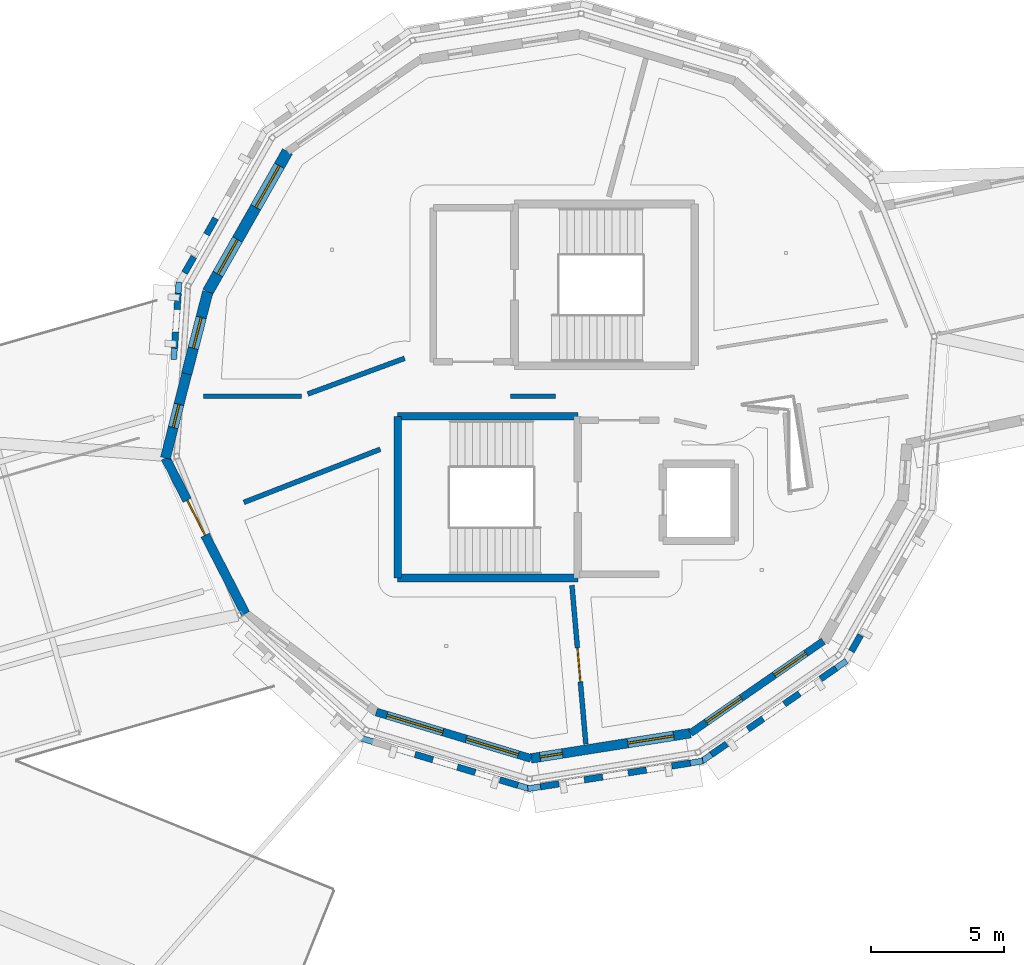
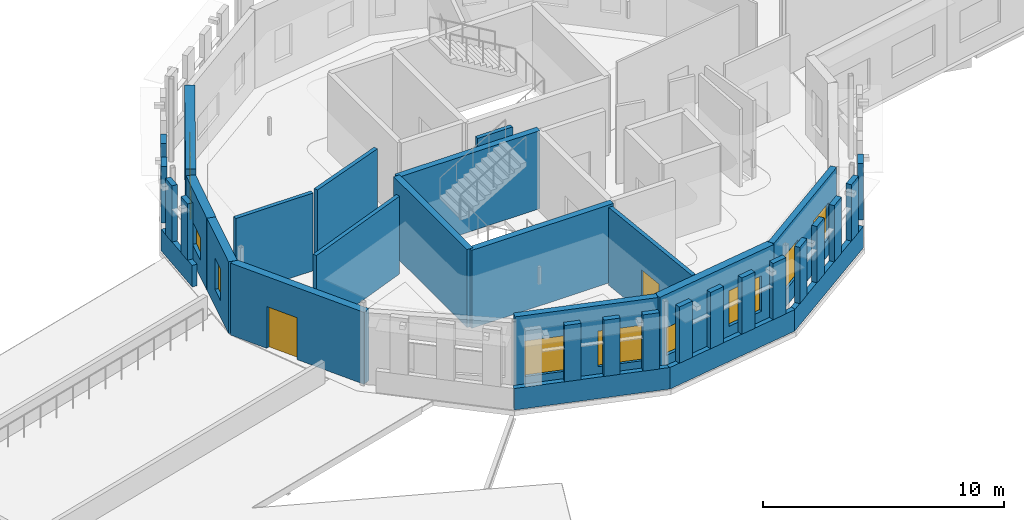
# One storey, part 59 of 90: 35 walls, 10 windows, 2 doors, 12 openings.
"""IFC4 building model written with IfcOpenShell, lengths in metres."""

import ifcopenshell
import ifcopenshell.guid

model = None  # the IFC model being written
_history = None  # IfcOwnerHistory: only IFC2X3 demands one
_inside = {}  # id of a spatial element -> (the spatial element, [elements in it])
_under = {}  # id of a project, library or spatial element -> (it, [spatial elements below it])
_declared = {}  # id of a project -> (the project, [libraries it declares])
_typed = {}  # id of a type object -> (the type object, [elements of that type])
_made_of = {}  # id of a material, layer set ... -> (it, [elements and type objects made of it])


def new_model(schema):
    """Start an empty IFC model of exactly this schema.

    Asked for "IFC4X3", IfcOpenShell would pick the latest addendum, in which some entities
    have other attributes; the version numbers below select the first issue.
    IFC2X3 requires an IfcOwnerHistory on every rooted entity: one is made here for all.
    """
    global model, _history
    if schema == "IFC4X3":
        model = ifcopenshell.file(schema_version=(4, 3, 0, 0))
    else:
        model = ifcopenshell.file(schema=schema)
    _inside.clear()
    _under.clear()
    _declared.clear()
    _typed.clear()
    _made_of.clear()
    _history = None
    if model.schema == "IFC2X3":
        org = make("IfcOrganization", Name="unknown")
        user = make(
            "IfcPersonAndOrganization",
            ThePerson=make("IfcPerson", FamilyName="unknown"),
            TheOrganization=org,
        )
        app = make(
            "IfcApplication",
            ApplicationDeveloper=org,
            Version="unknown",
            ApplicationFullName="unknown",
            ApplicationIdentifier="unknown",
        )
        _history = make(
            "IfcOwnerHistory",
            OwningUser=user,
            OwningApplication=app,
            ChangeAction="ADDED",
            CreationDate=0,
        )
    return model


def make(cls, **values):
    """One entity of the class cls with the attributes given. An attribute that is None is left unset."""
    return model.create_entity(
        cls, **{name: value for name, value in values.items() if value is not None}
    )


def rooted(cls, **values):
    """An entity with a GlobalId (a new one), such as an element, a storey or a relation."""
    return make(cls, GlobalId=ifcopenshell.guid.new(), OwnerHistory=_history, **values)


def si_unit(unit_type, name, prefix=None):
    """IfcSIUnit, for example si_unit("LENGTHUNIT", "METRE", prefix="MILLI")."""
    return make("IfcSIUnit", UnitType=unit_type, Prefix=prefix, Name=name)


def assignment(units):
    """IfcUnitAssignment: the units of a project."""
    return None if units is None else make("IfcUnitAssignment", Units=units)


def point(xyz):
    """IfcCartesianPoint."""
    return None if xyz is None else make("IfcCartesianPoint", Coordinates=xyz)


def direction(xyz):
    """IfcDirection."""
    return None if xyz is None else make("IfcDirection", DirectionRatios=xyz)


def frame(location, z_axis=None, x_axis=None):
    """IfcAxis2Placement3D, a coordinate frame: its origin and axes. An axis left out is left unset."""
    return make(
        "IfcAxis2Placement3D",
        Location=point(location),
        Axis=direction(z_axis),
        RefDirection=direction(x_axis),
    )


def frame_2d(location, x_axis=None):
    """IfcAxis2Placement2D, a coordinate frame in the plane: its origin and x axis."""
    return make(
        "IfcAxis2Placement2D", Location=point(location), RefDirection=direction(x_axis)
    )


def origin():
    """The frame at (0, 0, 0) with its axes left unset."""
    return frame((0.0, 0.0, 0.0))


def place(relative_to, where):
    """IfcLocalPlacement: puts the frame where relative to a parent placement (None: the world)."""
    return make(
        "IfcLocalPlacement", PlacementRelTo=relative_to, RelativePlacement=where
    )


def context(
    kind, dimensions, precision=None, world=None, true_north=None, identifier=None
):
    """IfcGeometricRepresentationContext, for example the 3D "Model" context."""
    return make(
        "IfcGeometricRepresentationContext",
        ContextIdentifier=identifier,
        ContextType=kind,
        CoordinateSpaceDimension=dimensions,
        Precision=precision,
        WorldCoordinateSystem=world,
        TrueNorth=true_north,
    )


def subcontext(parent, identifier, kind, view, scale=None):
    """IfcGeometricRepresentationSubContext, for example "Body" below "Model"."""
    return make(
        "IfcGeometricRepresentationSubContext",
        ContextIdentifier=identifier,
        ContextType=kind,
        ParentContext=parent,
        TargetScale=scale,
        TargetView=view,
    )


def project(units=None, contexts=None):
    """IfcProject with its units and contexts."""
    return rooted(
        "IfcProject",
        Name="project",
        RepresentationContexts=contexts,
        UnitsInContext=assignment(units),
    )


def spatial(cls, under=None, at=None, **own):
    """A site, building, storey or space (cls), placed at a placement, below another one or the project."""
    s = rooted(cls, ObjectPlacement=at, **own)
    if under is not None:
        _under.setdefault(under.id(), (under, []))[1].append(s)
    return s


def profile(cls, at=None, kind="AREA", **sizes):
    """A parametric profile (cls). Its sizes go by their IFC names, for example OverallWidth=200.0."""
    return make(cls, ProfileType=kind, Position=at, **sizes)


def rectangle(**sizes):
    """IfcRectangleProfileDef."""
    return profile("IfcRectangleProfileDef", **sizes)


def extrude(swept, where, along, depth):
    """IfcExtrudedAreaSolid: the profile swept, set in the frame where, extruded along a direction by depth."""
    return make(
        "IfcExtrudedAreaSolid",
        SweptArea=swept,
        Position=where,
        ExtrudedDirection=direction(along),
        Depth=depth,
    )


def shape(context_of_items, identifier, shape_type, items):
    """IfcShapeRepresentation: the items that make up one representation, for example the "Body"."""
    return make(
        "IfcShapeRepresentation",
        ContextOfItems=context_of_items,
        RepresentationIdentifier=identifier,
        RepresentationType=shape_type,
        Items=items,
    )


def material(Name=None, Category=None):
    """IfcMaterial."""
    return make("IfcMaterial", Name=Name, Category=Category)


def layer(
    of_material, thickness, ventilated=None, Name=None, Category=None, Priority=None
):
    """IfcMaterialLayer: one layer of a wall or slab, of a material (None: an air gap)."""
    return make(
        "IfcMaterialLayer",
        Material=of_material,
        LayerThickness=thickness,
        IsVentilated=ventilated,
        Name=Name,
        Category=Category,
        Priority=Priority,
    )


def layer_set(layers, Name=None):
    """IfcMaterialLayerSet."""
    return make("IfcMaterialLayerSet", MaterialLayers=layers, LayerSetName=Name)


def made_of(thing, what):
    """Note that an element or type object is made of a material, layer set ...; save() writes the relation."""
    if what is not None:
        _made_of.setdefault(what.id(), (what, []))[1].append(thing)
    return thing


def type_object(cls, material=None, **own):
    """A type object (cls), such as IfcWallType, which elements share."""
    return made_of(rooted(cls, **own), material)


def element(
    cls,
    number,
    at=None,
    inside=None,
    cuts=None,
    type_object=None,
    material=None,
    context=None,
    identifier="Body",
    shape_type=None,
    held_by="IfcProductDefinitionShape",
    body=None,
    shapes=None,
    **own,
):
    """One element of the class cls, such as IfcWall. Its Tag is "e" and its number.

    at: its placement. inside: the storey or other place that contains it. cuts: it is an
    opening in that element (IfcRelVoidsElement). A single representation is given by context,
    identifier, shape_type and body (its items); several are given by shapes. held_by: the class
    of the entity that holds the representations. save() writes the other relations.
    """
    e = rooted(cls, Tag="e%d" % number, ObjectPlacement=at, **own)
    if body is not None:
        shapes = [shape(context, identifier, shape_type, body)]
    if shapes is not None:
        e.Representation = make(held_by, Representations=shapes)
    if inside is not None:
        _inside.setdefault(inside.id(), (inside, []))[1].append(e)
    if cuts is not None:
        rooted(
            "IfcRelVoidsElement", RelatingBuildingElement=cuts, RelatedOpeningElement=e
        )
    if type_object is not None:
        _typed.setdefault(type_object.id(), (type_object, []))[1].append(e)
    return made_of(e, material)


def fill(opening, filler):
    """IfcRelFillsElement: the door or window that sits in an opening."""
    return rooted(
        "IfcRelFillsElement",
        RelatingOpeningElement=opening,
        RelatedBuildingElement=filler,
    )


def aggregate(whole, parts):
    """IfcRelAggregates: a whole, such as a stair, and the parts it consists of."""
    return rooted("IfcRelAggregates", RelatingObject=whole, RelatedObjects=parts)


def save(model, path):
    """Write the relations noted so far, then the file.

    IfcRelAggregates (storeys below a building ...), IfcRelContainedInSpatialStructure (elements
    in a storey), IfcRelDefinesByType, IfcRelAssociatesMaterial and IfcRelDeclares: one each for
    every whole, place, type object, material and project.
    """
    for whole, parts in _under.values():
        aggregate(whole, parts)
    for where, things in _inside.values():
        rooted(
            "IfcRelContainedInSpatialStructure",
            RelatedElements=things,
            RelatingStructure=where,
        )
    for kind, things in _typed.values():
        rooted("IfcRelDefinesByType", RelatedObjects=things, RelatingType=kind)
    for what, things in _made_of.values():
        rooted("IfcRelAssociatesMaterial", RelatedObjects=things, RelatingMaterial=what)
    for by, libraries in _declared.values():
        rooted("IfcRelDeclares", RelatingContext=by, RelatedDefinitions=libraries)
    model.write(path)


model = new_model("IFC4")

# Units and contexts
model_context = context("Model", 3, precision=1e-05, world=origin(), true_north=direction((0.0, 1.0)))
body_context = subcontext(model_context, "Body", "Model", "MODEL_VIEW")
ifc_project = project(units=[si_unit("LENGTHUNIT", "METRE"), si_unit("AREAUNIT", "SQUARE_METRE"), si_unit("VOLUMEUNIT", "CUBIC_METRE"), si_unit("PLANEANGLEUNIT", "RADIAN"), si_unit("MASSUNIT", "GRAM", prefix="KILO")], contexts=[model_context])

# Site, building, storey
site_placement = place(None, origin())
site = spatial("IfcSite", under=ifc_project, at=site_placement, CompositionType="ELEMENT")
building_placement = place(site_placement, origin())
building = spatial("IfcBuilding", under=site, at=building_placement, Name="Wrenclough Park School", CompositionType="ELEMENT")
storey_placement = place(building_placement, frame((0.0, 0.0, 8.39990234375)))
storey = spatial("IfcBuildingStorey", under=building, at=storey_placement, Name="L02", CompositionType="ELEMENT", Elevation=8.39990234375)

# Walls
ifc_material_1 = material(Name="Perforated open-bond Staffordshire and Manchester brick screen pier", Category="masonry")
ifc_layer_1 = layer(ifc_material_1, 0.2451171875)
ifc_layer_set_1 = layer_set([ifc_layer_1], Name="Perforated open-bond Staffordshire and Manchester brick screen pier")
wall_type_1 = type_object("IfcWallType", Name="ENV-BS-PR245", PredefinedType="ELEMENTEDWALL", material=ifc_layer_set_1)
wall_1_placement = place(storey_placement, frame((70.19873046875, 115.207275390625, 1.090087890625), z_axis=(0.0, 0.0, 1.0), x_axis=(-0.493548557981, -0.869718242257, 0.0)))
element("IfcWall", 1, at=wall_1_placement, inside=storey, type_object=wall_type_1, Name="D4 L02 perforated brick screen pier 0563", PredefinedType="ELEMENTEDWALL", context=body_context, shape_type="SweptSolid", body=[
    extrude(rectangle(XDim=0.700927734375, YDim=0.2451171875, at=frame_2d((0.3505859375, 0.0))), origin(), (0.0, 0.0, 1.0), 2.85009765625),
])
wall_2_placement = place(storey_placement, frame((69.375, 113.755859375, 1.090087890625), z_axis=(0.0, 0.0, 1.0), x_axis=(-0.49339908657, -0.869803047461, 0.0)))
element("IfcWall", 2, at=wall_2_placement, inside=storey, type_object=wall_type_1, Name="D4 L02 perforated brick screen pier 0564", PredefinedType="ELEMENTEDWALL", context=body_context, shape_type="SweptSolid", body=[
    extrude(rectangle(XDim=0.701171875, YDim=0.2451171875, at=frame_2d((0.3505859375, 0.0))), origin(), (0.0, 0.0, 1.0), 2.85009765625),
])
for number, where, z_axis, x_axis, name in (
    (3, (68.784912109375, 112.37939453125, 1.090087890625), (0.0, 0.0, 1.0), (-0.067312057159, -0.997731971504, 0.0), "D4 L02 perforated brick screen pier 0565"),
    (4, (68.6865234375, 110.923095703125, 1.090087890625), (0.0, 0.0, 1.0), (-0.066915549694, -0.997758642763, 0.0), "D4 L02 perforated brick screen pier 0566"),
):
    element("IfcWall", number, at=place(storey_placement, frame(where, z_axis=z_axis, x_axis=x_axis)), inside=storey, type_object=wall_type_1, Name=name, PredefinedType="ELEMENTEDWALL", context=body_context, shape_type="SweptSolid", body=[
        extrude(rectangle(XDim=0.613037109375, YDim=0.2451171875, at=frame_2d((0.306640625, 0.0))), origin(), (0.0, 0.0, 1.0), 2.85009765625),
    ])
for number, where, z_axis, x_axis, name in (
    (5, (77.711181640625, 95.007080078125, 1.090087890625), (0.0, 0.0, 1.0), (0.957730379015, -0.287667379297, 0.0), "D4 L02 perforated brick screen pier 0571"),
    (6, (79.3095703125, 94.527099609375, 1.090087890625), (0.0, 0.0, 1.0), (0.957826285221, -0.287347885566, 0.0), "D4 L02 perforated brick screen pier 0572"),
    (7, (80.907958984375, 94.047119140625, 1.090087890625), (0.0, 0.0, 1.0), (0.957826285221, -0.287347885566, 0.0), "D4 L02 perforated brick screen pier 0573"),
    (8, (82.44091796875, 93.78759765625, 1.090087890625), (0.0, 0.0, 1.0), (0.987697931756, 0.156373896812, 0.0), "D4 L02 perforated brick screen pier 0574"),
    (9, (84.089111328125, 94.048583984375, 1.090087890625), (0.0, 0.0, 1.0), (0.987697931756, 0.156373896812, 0.0), "D4 L02 perforated brick screen pier 0575"),
    (10, (85.737548828125, 94.309814453125, 1.090087890625), (0.0, 0.0, 1.0), (0.987751666832, 0.156034113801, 0.0), "D4 L02 perforated brick screen pier 0576"),
    (11, (87.3857421875, 94.57080078125, 1.090087890625), (0.0, 0.0, 1.0), (0.987697931756, 0.156373896812, 0.0), "D4 L02 perforated brick screen pier 0577"),
    (12, (88.879638671875, 95.001953125, 1.090087890625), (0.0, 0.0, 1.0), (0.822004061083, 0.569481627064, 0.0), "D4 L02 perforated brick screen pier 0578"),
    (13, (90.251708984375, 95.952392578125, 1.090087890625), (0.0, 0.0, 1.0), (0.822004061083, 0.569481627064, 0.0), "D4 L02 perforated brick screen pier 0579"),
):
    element("IfcWall", number, at=place(storey_placement, frame(where, z_axis=z_axis, x_axis=x_axis)), inside=storey, type_object=wall_type_1, Name=name, PredefinedType="ELEMENTEDWALL", context=body_context, shape_type="SweptSolid", body=[
        extrude(rectangle(XDim=0.700927734375, YDim=0.2451171875, at=frame_2d((0.3505859375, 0.0))), origin(), (0.0, 0.0, 1.0), 2.85009765625),
    ])
wall_3_placement = place(storey_placement, frame((91.623291015625, 96.902587890625, 1.090087890625), z_axis=(0.0, 0.0, 1.0), x_axis=(0.821953993254, 0.569553889438, 0.0)))
element("IfcWall", 14, at=wall_3_placement, inside=storey, type_object=wall_type_1, Name="D4 L02 perforated brick screen pier 0580", PredefinedType="ELEMENTEDWALL", context=body_context, shape_type="SweptSolid", body=[
    extrude(rectangle(XDim=0.701171875, YDim=0.2451171875, at=frame_2d((0.3505859375, 0.0))), origin(), (0.0, 0.0, 1.0), 2.85009765625),
])
for number, where, z_axis, x_axis, name in (
    (15, (92.995361328125, 97.85302734375, 1.090087890625), (0.0, 0.0, 1.0), (0.822004061083, 0.569481627064, 0.0), "D4 L02 perforated brick screen pier 0581"),
    (16, (94.154052734375, 98.8896484375, 1.090087890625), (0.0, 0.0, 1.0), (0.493548557981, 0.869718242257, 0.0), "D4 L02 perforated brick screen pier 0582"),
):
    element("IfcWall", number, at=place(storey_placement, frame(where, z_axis=z_axis, x_axis=x_axis)), inside=storey, type_object=wall_type_1, Name=name, PredefinedType="ELEMENTEDWALL", context=body_context, shape_type="SweptSolid", body=[
        extrude(rectangle(XDim=0.700927734375, YDim=0.2451171875, at=frame_2d((0.3505859375, 0.0))), origin(), (0.0, 0.0, 1.0), 2.85009765625),
    ])
ifc_material_2 = material(Name="Open-bond Manchester multi-stock brick spandrel screen", Category="masonry")
ifc_layer_2 = layer(ifc_material_2, 0.22509765625)
ifc_layer_set_2 = layer_set([ifc_layer_2], Name="Open-bond Manchester multi-stock brick spandrel screen")
wall_type_2 = type_object("IfcWallType", Name="ENV-BS-SP225", PredefinedType="ELEMENTEDWALL", material=ifc_layer_set_2)
wall_4_placement = place(storey_placement, frame((68.813232421875, 112.802001953125, 0.0), z_axis=(0.0, 0.0, 1.0), x_axis=(-0.067234991441, -0.997737167758, 0.0)))
element("IfcWall", 17, at=wall_4_placement, inside=storey, type_object=wall_type_2, Name="D4 L02 open-bond brick screen spandrel 0153", PredefinedType="ELEMENTEDWALL", context=body_context, shape_type="SweptSolid", body=[
    extrude(rectangle(XDim=2.91943359375, YDim=0.22509765625, at=frame_2d((1.459716796875, 0.0))), origin(), (0.0, 0.0, 1.0), 1.090087890625),
])
for number, where, z_axis, x_axis, name in (
    (18, (75.649169921875, 95.626220703125, 0.0), (0.0, 0.0, 1.0), (0.957749751871, -0.287602873404, 0.0), "D4 L02 open-bond brick screen spandrel 0155"),
    (19, (81.962890625, 93.7119140625, 0.0), (0.0, 0.0, 1.0), (0.987690206406, 0.156422684322, 0.0), "D4 L02 open-bond brick screen spandrel 0156"),
    (20, (88.48193359375, 94.726318359375, 0.0), (0.0, 0.0, 1.0), (0.822009139105, 0.56947429725, 0.0), "D4 L02 open-bond brick screen spandrel 0157"),
):
    element("IfcWall", number, at=place(storey_placement, frame(where, z_axis=z_axis, x_axis=x_axis)), inside=storey, type_object=wall_type_2, Name=name, PredefinedType="ELEMENTEDWALL", context=body_context, shape_type="SweptSolid", body=[
        extrude(rectangle(XDim=6.675537109375, YDim=0.22509765625, at=frame_2d((3.337890625, 0.0))), origin(), (0.0, 0.0, 1.0), 1.090087890625),
    ])

# Wall, openings, windows
ifc_material_3 = material(Name="Link wing brick-faced cavity wall Concrete C32/40", Category="masonry")
ifc_layer_3 = layer(ifc_material_3, 0.27490234375)
ifc_layer_set_3 = layer_set([ifc_layer_3], Name="Link wing brick-faced cavity wall Concrete C32/40")
wall_type_3 = type_object("IfcWallType", Name="ENV-EW-275", PredefinedType="SOLIDWALL", material=ifc_layer_set_3)
wall_5_placement = place(storey_placement, frame((93.09521484375, 99.2724609375, 0.0), z_axis=(0.0, 0.0, 1.0), x_axis=(-0.821994314634, -0.569495695075, 0.0)))
wall_5 = element("IfcWall", 21, at=wall_5_placement, inside=storey, type_object=wall_type_3, Name="L02 insulated brick external wall 0158", PredefinedType="SOLIDWALL", context=body_context, shape_type="SweptSolid", body=[
    extrude(rectangle(XDim=6.086669921875, YDim=0.27490234375, at=frame_2d((3.04345703125, 0.0))), origin(), (0.0, 0.0, 1.0), 3.940185546875),
])
opening_1_placement = place(wall_5_placement, frame((0.796630859375, 0.0, 0.85009765625)))
opening_1 = element("IfcOpeningElement", 22, at=opening_1_placement, cuts=wall_5, Name="Opening WN-28", PredefinedType="OPENING", context=body_context, shape_type="SweptSolid", body=[
    extrude(rectangle(XDim=1.449951171875, YDim=1.800048828125, at=frame_2d((0.72509765625, 0.89990234375))), frame((0.0, 0.1474609375, 0.0), z_axis=(0.0, -1.0, 0.0), x_axis=(1.0, 0.0, 0.0)), (0.0, 0.0, 1.0), 0.294921875),
])
opening_2_placement = place(wall_5_placement, frame((3.764892578125, 0.0, 0.85009765625)))
opening_2 = element("IfcOpeningElement", 23, at=opening_2_placement, cuts=wall_5, Name="Opening WN-29", PredefinedType="OPENING", context=body_context, shape_type="SweptSolid", body=[
    extrude(rectangle(XDim=1.60009765625, YDim=1.800048828125, at=frame_2d((0.800048828125, 0.89990234375))), frame((0.0, 0.1474609375, 0.0), z_axis=(0.0, -1.0, 0.0), x_axis=(1.0, 0.0, 0.0)), (0.0, 0.0, 1.0), 0.294921875),
])
ifc_material_4 = material(Name="Thermally broken aluminium and double-glazed low-e glass", Category="aluminium")
window_type_1 = type_object("IfcWindowType", Name="ENV-WN-28", PartitioningType="SINGLE_PANEL", PredefinedType="WINDOW", material=ifc_material_4)
window_1_placement = place(opening_1_placement, origin())
window_1 = element("IfcWindow", 24, at=window_1_placement, inside=storey, type_object=window_type_1, Name="L02 scheduled facade window 0251", OverallHeight=1.800048828125, OverallWidth=1.449951171875, PartitioningType="SINGLE_PANEL", PredefinedType="WINDOW", context=body_context, shape_type="SweptSolid", body=[
    extrude(rectangle(XDim=1.449951171875, YDim=1.800048828125, at=frame_2d((0.72509765625, 0.89990234375))), frame((0.0, 0.030029296875, 0.0), z_axis=(0.0, -1.0, 0.0), x_axis=(1.0, 0.0, 0.0)), (0.0, 0.0, 1.0), 0.06005859375),
])
fill(opening_1, window_1)
window_type_2 = type_object("IfcWindowType", Name="ENV-WN-29", PartitioningType="DOUBLE_PANEL_VERTICAL", PredefinedType="WINDOW", material=ifc_material_4)
window_2_placement = place(opening_2_placement, origin())
window_2 = element("IfcWindow", 25, at=window_2_placement, inside=storey, type_object=window_type_2, Name="L02 scheduled facade window 0252", OverallHeight=1.800048828125, OverallWidth=1.60009765625, PartitioningType="SINGLE_PANEL", PredefinedType="WINDOW", context=body_context, shape_type="SweptSolid", body=[
    extrude(rectangle(XDim=1.60009765625, YDim=1.800048828125, at=frame_2d((0.800048828125, 0.89990234375))), frame((0.0, 0.030029296875, 0.0), z_axis=(0.0, -1.0, 0.0), x_axis=(1.0, 0.0, 0.0)), (0.0, 0.0, 1.0), 0.06005859375),
])
fill(opening_2, window_2)

ifc_material_5 = material(Name="Manchester multi-stock brick and Concrete C32/40 inner leaf", Category="masonry")
ifc_layer_4 = layer(ifc_material_5, 0.300048828125)
ifc_layer_set_4 = layer_set([ifc_layer_4], Name="Manchester multi-stock brick and Concrete C32/40 inner leaf")
wall_type_4 = type_object("IfcWallType", Name="ENV-EW-300", PredefinedType="SOLIDWALL", material=ifc_layer_set_4)
wall_6_placement = place(storey_placement, frame((82.079833984375, 94.85400390625, 0.0), z_axis=(0.0, 0.0, 1.0), x_axis=(-0.957750075894, 0.28760179437, 0.0)))
wall_6 = element("IfcWall", 26, at=wall_6_placement, inside=storey, type_object=wall_type_4, Name="L02 insulated brick external wall 0160", PredefinedType="SOLIDWALL", context=body_context, shape_type="SweptSolid", body=[
    extrude(rectangle(XDim=6.08642578125, YDim=0.300048828125, at=frame_2d((3.043212890625, 0.0))), origin(), (0.0, 0.0, 1.0), 3.940185546875),
])
opening_3_placement = place(wall_6_placement, frame((0.49658203125, 0.0, 0.85009765625)))
opening_3 = element("IfcOpeningElement", 27, at=opening_3_placement, cuts=wall_6, Name="Opening WN-32", PredefinedType="OPENING", context=body_context, shape_type="SweptSolid", body=[
    extrude(rectangle(XDim=2.050048828125, YDim=1.800048828125, at=frame_2d((1.02490234375, 0.89990234375))), frame((0.0, 0.159912109375, 0.0), z_axis=(0.0, -1.0, 0.0), x_axis=(1.0, 0.0, 0.0)), (0.0, 0.0, 1.0), 0.320068359375),
])
opening_4_placement = place(wall_6_placement, frame((3.46484375, 0.0, 0.85009765625)))
opening_4 = element("IfcOpeningElement", 28, at=opening_4_placement, cuts=wall_6, Name="Opening WN-33", PredefinedType="OPENING", context=body_context, shape_type="SweptSolid", body=[
    extrude(rectangle(XDim=2.199951171875, YDim=1.800048828125, at=frame_2d((1.10009765625, 0.89990234375))), frame((0.0, 0.159912109375, 0.0), z_axis=(0.0, -1.0, 0.0), x_axis=(1.0, 0.0, 0.0)), (0.0, 0.0, 1.0), 0.320068359375),
])
window_type_3 = type_object("IfcWindowType", Name="ENV-WN-32", PartitioningType="DOUBLE_PANEL_VERTICAL", PredefinedType="WINDOW", material=ifc_material_4)
window_3_placement = place(opening_3_placement, origin())
window_3 = element("IfcWindow", 29, at=window_3_placement, inside=storey, type_object=window_type_3, Name="L02 scheduled facade window 0255", OverallHeight=1.800048828125, OverallWidth=2.050048828125, PartitioningType="SINGLE_PANEL", PredefinedType="WINDOW", context=body_context, shape_type="SweptSolid", body=[
    extrude(rectangle(XDim=2.050048828125, YDim=1.800048828125, at=frame_2d((1.02490234375, 0.89990234375))), frame((0.0, 0.030029296875, 0.0), z_axis=(0.0, -1.0, 0.0), x_axis=(1.0, 0.0, 0.0)), (0.0, 0.0, 1.0), 0.06005859375),
])
fill(opening_3, window_3)
window_type_4 = type_object("IfcWindowType", Name="ENV-WN-33", PartitioningType="DOUBLE_PANEL_VERTICAL", PredefinedType="WINDOW", material=ifc_material_4)
window_4_placement = place(opening_4_placement, origin())
window_4 = element("IfcWindow", 30, at=window_4_placement, inside=storey, type_object=window_type_4, Name="L02 scheduled facade window 0256", OverallHeight=1.800048828125, OverallWidth=2.199951171875, PartitioningType="SINGLE_PANEL", PredefinedType="WINDOW", context=body_context, shape_type="SweptSolid", body=[
    extrude(rectangle(XDim=2.199951171875, YDim=1.800048828125, at=frame_2d((1.10009765625, 0.89990234375))), frame((0.0, 0.030029296875, 0.0), z_axis=(0.0, -1.0, 0.0), x_axis=(1.0, 0.0, 0.0)), (0.0, 0.0, 1.0), 0.06005859375),
])
fill(opening_4, window_4)

# Wall, opening, door
ifc_material_6 = material(Name="Staffordshire blue-grey brick and Concrete C35/45 inner leaf", Category="masonry")
ifc_layer_5 = layer(ifc_material_6, 0.35009765625)
ifc_layer_set_5 = layer_set([ifc_layer_5], Name="Staffordshire blue-grey brick and Concrete C35/45 inner leaf")
wall_type_5 = type_object("IfcWallType", Name="ENV-EW-350", PredefinedType="SOLIDWALL", material=ifc_layer_set_5)
wall_7_placement = place(storey_placement, frame((71.3212890625, 100.309326171875, 0.0), z_axis=(0.0, 0.0, 1.0), x_axis=(-0.457271873076, 0.889326955677, 0.0)))
wall_7 = element("IfcWall", 31, at=wall_7_placement, inside=storey, type_object=wall_type_5, Name="L02 insulated brick external wall 0162", PredefinedType="SOLIDWALL", context=body_context, shape_type="SweptSolid", body=[
    extrude(rectangle(XDim=6.59326171875, YDim=0.35009765625, at=frame_2d((3.296630859375, 0.0))), origin(), (0.0, 0.0, 1.0), 3.64208984375),
])
opening_5_placement = place(wall_7_placement, frame((3.32373046875, 0.0, 0.0)))
opening_5 = element("IfcOpeningElement", 32, at=opening_5_placement, cuts=wall_7, Name="Opening DPD-PD-3-1", PredefinedType="OPENING", context=body_context, shape_type="SweptSolid", body=[
    extrude(rectangle(XDim=1.47998046875, YDim=2.1201171875, at=frame_2d((0.739990234375, 1.06005859375))), frame((0.0, 0.18505859375, 0.0), z_axis=(0.0, -1.0, 0.0), x_axis=(1.0, 0.0, 0.0)), (0.0, 0.0, 1.0), 0.3701171875),
])
ifc_material_7 = material(Name="Thermally broken powder-coated aluminium and laminated safety glass", Category="aluminium")
door_type_1 = type_object("IfcDoorType", Name="DR-PD148", OperationType="NOTDEFINED", PredefinedType="DOOR", material=ifc_material_7)
door_1_placement = place(opening_5_placement, origin())
door_1 = element("IfcDoor", 33, at=door_1_placement, inside=storey, type_object=door_type_1, Name="Play deck PD-3 access door 1", OperationType="DOUBLE_DOOR_SINGLE_SWING", OverallHeight=2.1201171875, OverallWidth=1.47998046875, PredefinedType="DOOR", context=body_context, shape_type="SweptSolid", body=[
    extrude(rectangle(XDim=1.47998046875, YDim=2.1201171875, at=frame_2d((0.739990234375, 1.06005859375))), frame((0.0, 0.02490234375, 0.0), z_axis=(0.0, -1.0, 0.0), x_axis=(1.0, 0.0, 0.0)), (0.0, 0.0, 1.0), 0.050048828125),
])
fill(opening_5, door_1)

# Wall, openings, windows
ifc_material_8 = material(Name="Faceted courtyard brick-cavity wall Concrete C35/45", Category="masonry")
ifc_layer_6 = layer(ifc_material_8, 0.364990234375)
ifc_layer_set_6 = layer_set([ifc_layer_6], Name="Faceted courtyard brick-cavity wall Concrete C35/45")
wall_type_6 = type_object("IfcWallType", Name="ENV-EW-365", PredefinedType="SOLIDWALL", material=ifc_layer_set_6)
wall_8_placement = place(storey_placement, frame((88.092041015625, 95.80615234375, 0.0), z_axis=(0.0, 0.0, 1.0), x_axis=(-0.987690665759, -0.156419783824, 0.0)))
wall_8 = element("IfcWall", 34, at=wall_8_placement, inside=storey, type_object=wall_type_6, Name="L02 insulated brick external wall 0159", PredefinedType="SOLIDWALL", context=body_context, shape_type="SweptSolid", body=[
    extrude(rectangle(XDim=6.087158203125, YDim=0.364990234375, at=frame_2d((3.04345703125, 0.0))), origin(), (0.0, 0.0, 1.0), 3.940185546875),
])
opening_6_placement = place(wall_8_placement, frame((0.646728515625, 0.0, 0.85009765625)))
opening_6 = element("IfcOpeningElement", 35, at=opening_6_placement, cuts=wall_8, Name="Opening WN-30", PredefinedType="OPENING", context=body_context, shape_type="SweptSolid", body=[
    extrude(rectangle(XDim=1.75, YDim=1.800048828125, at=frame_2d((0.875, 0.89990234375))), frame((0.0, 0.1923828125, 0.0), z_axis=(0.0, -1.0, 0.0), x_axis=(1.0, 0.0, 0.0)), (0.0, 0.0, 1.0), 0.385009765625),
])
opening_7_placement = place(wall_8_placement, frame((4.886962890625, 0.0, 0.85009765625)))
opening_7 = element("IfcOpeningElement", 36, at=opening_7_placement, cuts=wall_8, Name="Opening WN-01", PredefinedType="OPENING", context=body_context, shape_type="SweptSolid", body=[
    extrude(rectangle(XDim=0.85009765625, YDim=1.39990234375, at=frame_2d((0.425048828125, 0.699951171875))), frame((0.0, 0.1923828125, 0.0), z_axis=(0.0, -1.0, 0.0), x_axis=(1.0, 0.0, 0.0)), (0.0, 0.0, 1.0), 0.385009765625),
])
window_type_5 = type_object("IfcWindowType", Name="ENV-WN-01", PartitioningType="SINGLE_PANEL", PredefinedType="WINDOW", material=ifc_material_4)
window_5_placement = place(opening_7_placement, origin())
window_5 = element("IfcWindow", 37, at=window_5_placement, inside=storey, type_object=window_type_5, Name="L02 scheduled facade window 0254", OverallHeight=1.39990234375, OverallWidth=0.85009765625, PartitioningType="SINGLE_PANEL", PredefinedType="WINDOW", context=body_context, shape_type="SweptSolid", body=[
    extrude(rectangle(XDim=0.85009765625, YDim=1.39990234375, at=frame_2d((0.425048828125, 0.699951171875))), frame((0.0, 0.030029296875, 0.0), z_axis=(0.0, -1.0, 0.0), x_axis=(1.0, 0.0, 0.0)), (0.0, 0.0, 1.0), 0.06005859375),
])
fill(opening_7, window_5)
window_type_6 = type_object("IfcWindowType", Name="ENV-WN-30", PartitioningType="DOUBLE_PANEL_VERTICAL", PredefinedType="WINDOW", material=ifc_material_4)
window_6_placement = place(opening_6_placement, origin())
window_6 = element("IfcWindow", 38, at=window_6_placement, inside=storey, type_object=window_type_6, Name="L02 scheduled facade window 0253", OverallHeight=1.800048828125, OverallWidth=1.75, PartitioningType="SINGLE_PANEL", PredefinedType="WINDOW", context=body_context, shape_type="SweptSolid", body=[
    extrude(rectangle(XDim=1.75, YDim=1.800048828125, at=frame_2d((0.875, 0.89990234375))), frame((0.0, 0.030029296875, 0.0), z_axis=(0.0, -1.0, 0.0), x_axis=(1.0, 0.0, 0.0)), (0.0, 0.0, 1.0), 0.06005859375),
])
fill(opening_6, window_6)

# Wall, opening, window
ifc_material_9 = material(Name="Manchester multi-stock brick and Concrete C35/45 inner leaf", Category="masonry")
ifc_layer_7 = layer(ifc_material_9, 0.3798828125)
ifc_layer_set_7 = layer_set([ifc_layer_7], Name="Manchester multi-stock brick and Concrete C35/45 inner leaf")
wall_type_7 = type_object("IfcWallType", Name="ENV-EW-380", PredefinedType="SOLIDWALL", material=ifc_layer_set_7)
wall_9_placement = place(storey_placement, frame((68.306396484375, 106.1728515625, 0.0), z_axis=(0.0, 0.0, 1.0), x_axis=(0.244394694827, 0.969675839206, 0.0)))
wall_9 = element("IfcWall", 39, at=wall_9_placement, inside=storey, type_object=wall_type_7, Name="L02 insulated brick external wall 0163", PredefinedType="SOLIDWALL", context=body_context, shape_type="SweptSolid", body=[
    extrude(rectangle(XDim=3.274658203125, YDim=0.3798828125, at=frame_2d((1.63720703125, 0.0))), origin(), (0.0, 0.0, 1.0), 3.64208984375),
])
opening_8_placement = place(wall_9_placement, frame((1.187255859375, 0.0, 0.85009765625)))
opening_8 = element("IfcOpeningElement", 40, at=opening_8_placement, cuts=wall_9, Name="Opening WN-13", PredefinedType="OPENING", context=body_context, shape_type="SweptSolid", body=[
    extrude(rectangle(XDim=0.89990234375, YDim=1.60009765625, at=frame_2d((0.449951171875, 0.800048828125))), frame((0.0, 0.199951171875, 0.0), z_axis=(0.0, -1.0, 0.0), x_axis=(1.0, 0.0, 0.0)), (0.0, 0.0, 1.0), 0.39990234375),
])
window_type_7 = type_object("IfcWindowType", Name="ENV-WN-13", PartitioningType="SINGLE_PANEL", PredefinedType="WINDOW", material=ifc_material_4)
window_7_placement = place(opening_8_placement, origin())
window_7 = element("IfcWindow", 41, at=window_7_placement, inside=storey, type_object=window_type_7, Name="L02 scheduled facade window 0259", OverallHeight=1.60009765625, OverallWidth=0.89990234375, PartitioningType="SINGLE_PANEL", PredefinedType="WINDOW", context=body_context, shape_type="SweptSolid", body=[
    extrude(rectangle(XDim=0.89990234375, YDim=1.60009765625, at=frame_2d((0.449951171875, 0.800048828125))), frame((0.0, 0.030029296875, 0.0), z_axis=(0.0, -1.0, 0.0), x_axis=(1.0, 0.0, 0.0)), (0.0, 0.0, 1.0), 0.06005859375),
])
fill(opening_8, window_7)

ifc_material_10 = material(Name="Staffordshire blue-grey brick and Concrete C40/50 acoustic leaf", Category="masonry")
ifc_layer_8 = layer(ifc_material_10, 0.39990234375)
ifc_layer_set_8 = layer_set([ifc_layer_8], Name="Staffordshire blue-grey brick and Concrete C40/50 acoustic leaf")
wall_type_8 = type_object("IfcWallType", Name="ENV-EW-400", PredefinedType="SOLIDWALL", material=ifc_layer_set_8)
wall_10_placement = place(storey_placement, frame((69.106689453125, 109.34814453125, 0.0), z_axis=(0.0, 0.0, 1.0), x_axis=(0.249291589469, 0.968428470988, 0.0)))
wall_10 = element("IfcWall", 42, at=wall_10_placement, inside=storey, type_object=wall_type_8, Name="L02 insulated brick external wall 0164", PredefinedType="SOLIDWALL", context=body_context, shape_type="SweptSolid", body=[
    extrude(rectangle(XDim=3.185791015625, YDim=0.39990234375, at=frame_2d((1.5927734375, 0.0))), origin(), (0.0, 0.0, 1.0), 3.64208984375),
])
opening_9_placement = place(wall_10_placement, frame((0.992919921875, 0.0, 0.85009765625)))
opening_9 = element("IfcOpeningElement", 43, at=opening_9_placement, cuts=wall_10, Name="Opening WN-37", PredefinedType="OPENING", context=body_context, shape_type="SweptSolid", body=[
    extrude(rectangle(XDim=1.199951171875, YDim=1.14990234375, at=frame_2d((0.60009765625, 0.574951171875))), frame((0.0, 0.2099609375, 0.0), z_axis=(0.0, -1.0, 0.0), x_axis=(1.0, 0.0, 0.0)), (0.0, 0.0, 1.0), 0.419921875),
])
window_type_8 = type_object("IfcWindowType", Name="ENV-WN-37", PartitioningType="SINGLE_PANEL", PredefinedType="WINDOW", material=ifc_material_4)
window_8_placement = place(opening_9_placement, origin())
window_8 = element("IfcWindow", 44, at=window_8_placement, inside=storey, type_object=window_type_8, Name="L02 scheduled facade window 0260", OverallHeight=1.14990234375, OverallWidth=1.199951171875, PartitioningType="SINGLE_PANEL", PredefinedType="WINDOW", context=body_context, shape_type="SweptSolid", body=[
    extrude(rectangle(XDim=1.199951171875, YDim=1.14990234375, at=frame_2d((0.60009765625, 0.574951171875))), frame((0.0, 0.030029296875, 0.0), z_axis=(0.0, -1.0, 0.0), x_axis=(1.0, 0.0, 0.0)), (0.0, 0.0, 1.0), 0.06005859375),
])
fill(opening_9, window_8)

# Wall, openings, windows
ifc_material_11 = material(Name="Insulated brick-clad sports hall wall Concrete C40/50", Category="masonry")
ifc_layer_9 = layer(ifc_material_11, 0.425048828125)
ifc_layer_set_9 = layer_set([ifc_layer_9], Name="Insulated brick-clad sports hall wall Concrete C40/50")
wall_type_9 = type_object("IfcWallType", Name="ENV-EW-425", PredefinedType="SOLIDWALL", material=ifc_layer_set_9)
wall_11_placement = place(storey_placement, frame((69.90087890625, 112.433349609375, 0.0), z_axis=(0.0, 0.0, 1.0), x_axis=(0.49349318979, 0.869749660322, 0.0)))
wall_11 = element("IfcWall", 45, at=wall_11_placement, inside=storey, type_object=wall_type_9, Name="L02 insulated brick external wall 0165", PredefinedType="SOLIDWALL", context=body_context, shape_type="SweptSolid", body=[
    extrude(rectangle(XDim=6.0869140625, YDim=0.425048828125, at=frame_2d((3.04345703125, 0.0))), origin(), (0.0, 0.0, 1.0), 3.940185546875),
])
opening_10_placement = place(wall_11_placement, frame((0.771728515625, 0.0, 0.85009765625)))
opening_10 = element("IfcOpeningElement", 46, at=opening_10_placement, cuts=wall_11, Name="Opening WN-38", PredefinedType="OPENING", context=body_context, shape_type="SweptSolid", body=[
    extrude(rectangle(XDim=1.5, YDim=1.14990234375, at=frame_2d((0.75, 0.574951171875))), frame((0.0, 0.222412109375, 0.0), z_axis=(0.0, -1.0, 0.0), x_axis=(1.0, 0.0, 0.0)), (0.0, 0.0, 1.0), 0.445068359375),
])
opening_11_placement = place(wall_11_placement, frame((3.665283203125, 0.0, 0.85009765625)))
opening_11 = element("IfcOpeningElement", 47, at=opening_11_placement, cuts=wall_11, Name="Opening WN-39", PredefinedType="OPENING", context=body_context, shape_type="SweptSolid", body=[
    extrude(rectangle(XDim=1.800048828125, YDim=1.14990234375, at=frame_2d((0.89990234375, 0.574951171875))), frame((0.0, 0.222412109375, 0.0), z_axis=(0.0, -1.0, 0.0), x_axis=(1.0, 0.0, 0.0)), (0.0, 0.0, 1.0), 0.445068359375),
])
window_type_9 = type_object("IfcWindowType", Name="ENV-WN-38", PartitioningType="DOUBLE_PANEL_VERTICAL", PredefinedType="WINDOW", material=ifc_material_4)
window_9_placement = place(opening_10_placement, origin())
window_9 = element("IfcWindow", 48, at=window_9_placement, inside=storey, type_object=window_type_9, Name="L02 scheduled facade window 0261", OverallHeight=1.14990234375, OverallWidth=1.5, PartitioningType="SINGLE_PANEL", PredefinedType="WINDOW", context=body_context, shape_type="SweptSolid", body=[
    extrude(rectangle(XDim=1.5, YDim=1.14990234375, at=frame_2d((0.75, 0.574951171875))), frame((0.0, 0.030029296875, 0.0), z_axis=(0.0, -1.0, 0.0), x_axis=(1.0, 0.0, 0.0)), (0.0, 0.0, 1.0), 0.06005859375),
])
fill(opening_10, window_9)
window_type_10 = type_object("IfcWindowType", Name="ENV-WN-39", PartitioningType="DOUBLE_PANEL_VERTICAL", PredefinedType="WINDOW", material=ifc_material_4)
window_10_placement = place(opening_11_placement, origin())
window_10 = element("IfcWindow", 49, at=window_10_placement, inside=storey, type_object=window_type_10, Name="L02 scheduled facade window 0262", OverallHeight=1.14990234375, OverallWidth=1.800048828125, PartitioningType="SINGLE_PANEL", PredefinedType="WINDOW", context=body_context, shape_type="SweptSolid", body=[
    extrude(rectangle(XDim=1.800048828125, YDim=1.14990234375, at=frame_2d((0.89990234375, 0.574951171875))), frame((0.0, 0.030029296875, 0.0), z_axis=(0.0, -1.0, 0.0), x_axis=(1.0, 0.0, 0.0)), (0.0, 0.0, 1.0), 0.06005859375),
])
fill(opening_11, window_10)

# Walls
ifc_material_12 = material(Name="Concrete C40/50", Category="concrete")
ifc_layer_10 = layer(ifc_material_12, 0.2900390625)
ifc_layer_set_10 = layer_set([ifc_layer_10], Name="Concrete C40/50")
wall_type_10 = type_object("IfcWallType", Name="INT-CW-290", PredefinedType="SHEAR", material=ifc_layer_set_10)
for number, where, z_axis, x_axis, name in (
    (50, (77.054931640625, 101.655029296875, 0.0), (0.0, 0.0, 1.0), (1.0, 0.0, 0.0), "Core C4 L02 south shear wall"),
    (51, (83.844970703125, 107.7451171875, 0.0), (0.0, 0.0, 1.0), (-1.0, 0.0, 0.0), "Core C4 L02 north shear wall"),
):
    element("IfcWall", number, at=place(storey_placement, frame(where, z_axis=z_axis, x_axis=x_axis)), inside=storey, type_object=wall_type_10, Name=name, PredefinedType="SHEAR", context=body_context, shape_type="SweptSolid", body=[
        extrude(rectangle(XDim=6.7900390625, YDim=0.2900390625, at=frame_2d((3.39501953125, 0.0))), origin(), (0.0, 0.0, 1.0), 3.9501953125),
    ])
wall_12_placement = place(storey_placement, frame((77.054931640625, 107.7451171875, 0.0), z_axis=(0.0, 0.0, 1.0), x_axis=(0.0, -1.0, 0.0)))
element("IfcWall", 52, at=wall_12_placement, inside=storey, type_object=wall_type_10, Name="Core C4 L02 west shear wall", PredefinedType="SHEAR", context=body_context, shape_type="SweptSolid", body=[
    extrude(rectangle(XDim=6.090087890625, YDim=0.2900390625, at=frame_2d((3.044921875, 0.0))), origin(), (0.0, 0.0, 1.0), 3.9501953125),
])
ifc_material_13 = material(Name="Laboratory fire and acoustic partition", Category="gypsum")
ifc_layer_11 = layer(ifc_material_13, 0.18505859375)
ifc_layer_set_11 = layer_set([ifc_layer_11], Name="Laboratory fire and acoustic partition")
wall_type_11 = type_object("IfcWallType", Name="INT-PW-185", PredefinedType="PARTITIONING", material=ifc_layer_set_11)
wall_13_placement = place(storey_placement, frame((81.316650390625, 108.5, 0.0), z_axis=(0.0, 0.0, 1.0), x_axis=(1.0, 0.0, 0.0)))
element("IfcWall", 53, at=wall_13_placement, inside=storey, type_object=wall_type_11, Name="L02 internal partition 0377", PredefinedType="PARTITIONING", context=body_context, shape_type="SweptSolid", body=[
    extrude(rectangle(XDim=1.683349609375, YDim=0.18505859375, at=frame_2d((0.841796875, 0.0))), origin(), (0.0, 0.0, 1.0), 3.940185546875),
])
wall_14_placement = place(storey_placement, frame((69.73583984375, 108.5, 0.0), z_axis=(0.0, 0.0, 1.0), x_axis=(1.0, 0.0, 0.0)))
element("IfcWall", 54, at=wall_14_placement, inside=storey, type_object=wall_type_11, Name="L02 internal partition 0379", PredefinedType="PARTITIONING", context=body_context, shape_type="SweptSolid", body=[
    extrude(rectangle(XDim=3.7001953125, YDim=0.18505859375, at=frame_2d((1.85009765625, 0.0))), origin(), (0.0, 0.0, 1.0), 3.940185546875),
])
wall_15_placement = place(storey_placement, frame((73.67041015625, 108.58642578125, 0.0), z_axis=(0.0, 0.0, 1.0), x_axis=(0.938293786345, 0.345839226384, 0.0)))
element("IfcWall", 55, at=wall_15_placement, inside=storey, type_object=wall_type_11, Name="L02 internal partition 0380", PredefinedType="PARTITIONING", context=body_context, shape_type="SweptSolid", body=[
    extrude(rectangle(XDim=3.8876953125, YDim=0.18505859375, at=frame_2d((1.94384765625, 0.0))), origin(), (0.0, 0.0, 1.0), 3.940185546875),
])
wall_16_placement = place(storey_placement, frame((76.40283203125, 106.505126953125, 0.0), z_axis=(0.0, 0.0, 1.0), x_axis=(-0.931801101999, -0.362969291145, 0.0)))
element("IfcWall", 56, at=wall_16_placement, inside=storey, type_object=wall_type_11, Name="L02 internal partition 0381", PredefinedType="PARTITIONING", context=body_context, shape_type="SweptSolid", body=[
    extrude(rectangle(XDim=5.51806640625, YDim=0.18505859375, at=frame_2d((2.759033203125, 0.0))), origin(), (0.0, 0.0, 1.0), 3.940185546875),
])

# Wall, opening, door
wall_17_placement = place(storey_placement, frame((84.14697265625, 95.3916015625, 0.0), z_axis=(0.0, 0.0, 1.0), x_axis=(-0.087194167802, 0.996191335588, 0.0)))
wall_17 = element("IfcWall", 57, at=wall_17_placement, inside=storey, type_object=wall_type_11, Name="L02 internal partition 0382", PredefinedType="PARTITIONING", context=body_context, shape_type="SweptSolid", body=[
    extrude(rectangle(XDim=6.0087890625, YDim=0.18505859375, at=frame_2d((3.00439453125, 0.0))), origin(), (0.0, 0.0, 1.0), 3.940185546875),
])
opening_12_placement = place(wall_17_placement, frame((2.364501953125, 0.0, 0.0)))
opening_12 = element("IfcOpeningElement", 58, at=opening_12_placement, cuts=wall_17, Name="Opening DR-L02-073", PredefinedType="OPENING", context=body_context, shape_type="SweptSolid", body=[
    extrude(rectangle(XDim=1.280029296875, YDim=2.139892578125, at=frame_2d((0.64013671875, 1.06982421875))), frame((0.0, 0.1025390625, 0.0), z_axis=(0.0, -1.0, 0.0), x_axis=(1.0, 0.0, 0.0)), (0.0, 0.0, 1.0), 0.205078125),
])
ifc_material_14 = material(Name="Junior science laboratory leaf-and-a-half door assembly", Category="wood")
door_type_2 = type_object("IfcDoorType", Name="INT-DR-LAB128", OperationType="NOTDEFINED", PredefinedType="DOOR", material=ifc_material_14)
door_2_placement = place(opening_12_placement, origin())
door_2 = element("IfcDoor", 59, at=door_2_placement, inside=storey, type_object=door_type_2, Name="Biology Science Laboratory door DR-L02-073", OperationType="SINGLE_SWING_RIGHT", OverallHeight=2.139892578125, OverallWidth=1.280029296875, PredefinedType="DOOR", context=body_context, shape_type="SweptSolid", body=[
    extrude(rectangle(XDim=1.280029296875, YDim=2.139892578125, at=frame_2d((0.64013671875, 1.06982421875))), frame((0.0, 0.02490234375, 0.0), z_axis=(0.0, -1.0, 0.0), x_axis=(1.0, 0.0, 0.0)), (0.0, 0.0, 1.0), 0.050048828125),
])
fill(opening_12, door_2)

save(model, "model.ifc")
